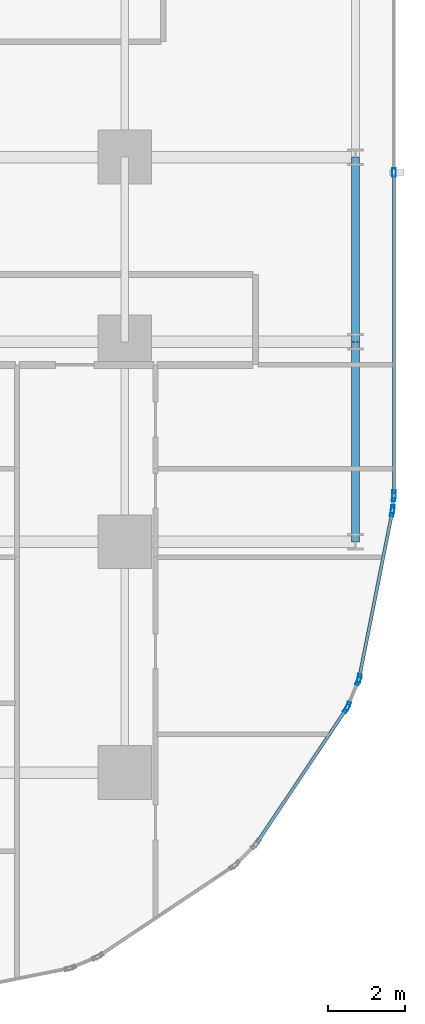
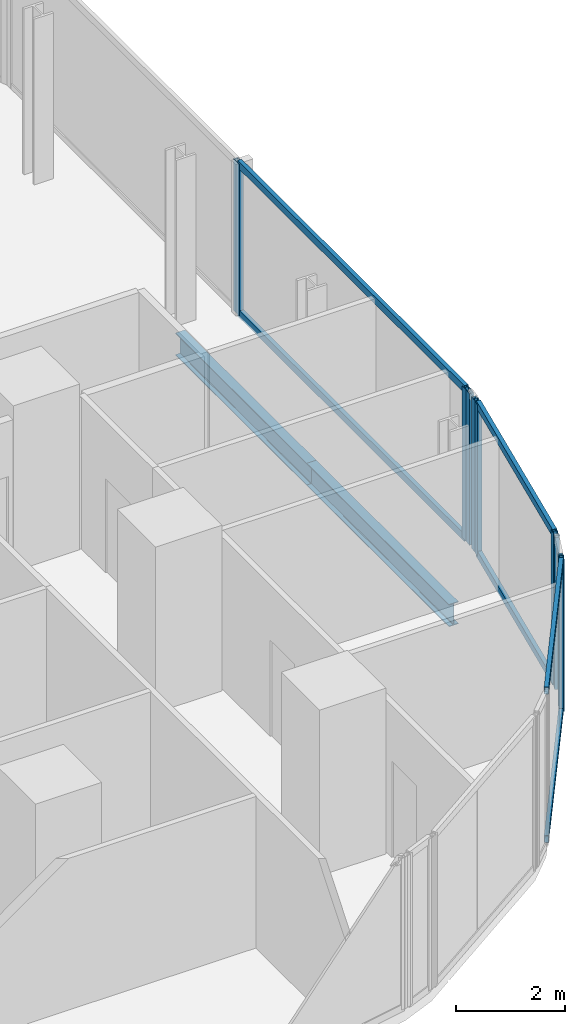
# One storey, part 18 of 34: 15 members, 2 beams, 5 elements without a shape of their own.
"""IFC4 building model written with IfcOpenShell, lengths in metres."""

from ifc_helpers import new_model, si_unit, direction, frame, origin, origin_2d, place, context, subcontext, project, spatial, hollow_rectangle, i_section, extrude, material, layer, layer_set, material_profile, profile_set, type_object, element, aggregate, save


model = new_model("IFC4")

# Units and contexts
model_context = context("Model", 3, precision=1e-05, world=origin(), true_north=direction((0.0, 1.0)))
body_context = subcontext(model_context, "Body", "Model", "MODEL_VIEW")
ifc_project = project(units=[si_unit("LENGTHUNIT", "METRE"), si_unit("AREAUNIT", "SQUARE_METRE"), si_unit("VOLUMEUNIT", "CUBIC_METRE"), si_unit("PLANEANGLEUNIT", "RADIAN"), si_unit("MASSUNIT", "GRAM", prefix="KILO")], contexts=[model_context])

# Site, building, storey
site_placement = place(None, origin())
site = spatial("IfcSite", under=ifc_project, at=site_placement, CompositionType="ELEMENT")
building_placement = place(site_placement, origin())
building = spatial("IfcBuilding", under=site, at=building_placement, Name="Keshet Zoharim Tower", CompositionType="ELEMENT")
storey_placement = place(building_placement, frame((0.0, 0.0, 31.39990234375)))
storey = spatial("IfcBuildingStorey", under=building, at=storey_placement, Name="L06", CompositionType="ELEMENT", Elevation=31.39990234375)

# Beams
ifc_material_1 = material(Name="Steel S355", Category="steel")
ifc_material_profile_1 = material_profile(ifc_material_1, i_section(OverallWidth=0.199951171875, OverallDepth=0.5, WebThickness=0.01025390625, FlangeThickness=0.01611328125, FilletRadius=0.02099609375, at=origin_2d()), Name="IPE500")
ifc_profile_set_1 = profile_set([ifc_material_profile_1], Name="Steel S355")
beam_type = type_object("IfcBeamType", Name="BM-PRI-IP500", PredefinedType="BEAM", material=ifc_profile_set_1)
beam_1_placement = place(storey_placement, frame((69.0, 12.699951171875, -0.56494140625), z_axis=(0.0, 1.0, 0.0), x_axis=(-1.0, 0.0, 0.0)))
element("IfcBeam", 1, at=beam_1_placement, inside=storey, type_object=beam_type, Name="L06 Primary Girder Y-023", PredefinedType="BEAM", context=body_context, shape_type="SweptSolid", body=[
    extrude(i_section(OverallWidth=0.199951171875, OverallDepth=0.5, WebThickness=0.01025390625, FlangeThickness=0.01611328125, FilletRadius=0.02099609375, at=origin_2d()), origin(), (0.0, 0.0, 1.0), 5.199951171875),
])
beam_2_placement = place(storey_placement, frame((69.0, 17.89990234375, -0.56494140625), z_axis=(0.0, 1.0, 0.0), x_axis=(-1.0, 0.0, 0.0)))
element("IfcBeam", 2, at=beam_2_placement, inside=storey, type_object=beam_type, Name="L06 Primary Girder Y-024", PredefinedType="BEAM", context=body_context, shape_type="SweptSolid", body=[
    extrude(i_section(OverallWidth=0.199951171875, OverallDepth=0.5, WebThickness=0.01025390625, FlangeThickness=0.01611328125, FilletRadius=0.02099609375, at=origin_2d()), origin(), (0.0, 0.0, 1.0), 4.800048828125),
])

# Curtain wall, members
ifc_material_2 = material(Name="Aluminium 6063-T6", Category="aluminium")
ifc_layer_1 = layer(ifc_material_2, 0.169921875)
ifc_layer_set_1 = layer_set([ifc_layer_1], Name="Aluminium 6063-T6")
curtain_wall_type_1 = type_object("IfcCurtainWallType", Name="CW-SYS-02", PredefinedType="NOTDEFINED", material=ifc_layer_set_1)
curtain_wall_1_placement = place(storey_placement, origin())
curtain_wall_1 = element("IfcCurtainWall", 3, at=curtain_wall_1_placement, inside=storey, type_object=curtain_wall_type_1, Name="L06 Unitised Curtain Wall 16", PredefinedType="NOTDEFINED")
ifc_material_profile_2 = material_profile(ifc_material_2, hollow_rectangle(XDim=0.090087890625, YDim=0.219970703125, WallThickness=0.0048828125, at=origin_2d()), Name="MUL-90x220")
ifc_profile_set_2 = profile_set([ifc_material_profile_2], Name="Aluminium 6063-T6")
member_type_1 = type_object("IfcMemberType", Name="CWM-M22", PredefinedType="MULLION", material=ifc_profile_set_2)
member_1_placement = place(storey_placement, frame((70.0, 22.298583984375, 0.0), z_axis=(0.0, 0.0, 1.0), x_axis=(1.0, 0.0, 0.0)))
member_1 = element("IfcMember", 4, at=member_1_placement, type_object=member_type_1, Name="CW-02 mullion 2", PredefinedType="MULLION", context=body_context, shape_type="SweptSolid", body=[
    extrude(hollow_rectangle(XDim=0.090087890625, YDim=0.219970703125, WallThickness=0.0048828125, at=origin_2d()), origin(), (0.0, 0.0, 1.0), 3.385009765625),
])
member_2_placement = place(storey_placement, frame((70.0, 13.931884765625, 0.0), z_axis=(0.0, 0.0, 1.0), x_axis=(1.0, 0.0, 0.0)))
member_2 = element("IfcMember", 5, at=member_2_placement, type_object=member_type_1, Name="CW-02 mullion 3", PredefinedType="MULLION", context=body_context, shape_type="SweptSolid", body=[
    extrude(hollow_rectangle(XDim=0.090087890625, YDim=0.219970703125, WallThickness=0.0048828125, at=origin_2d()), origin(), (0.0, 0.0, 1.0), 3.385009765625),
])

curtain_wall_2_placement = place(storey_placement, origin())
curtain_wall_2 = element("IfcCurtainWall", 6, at=curtain_wall_2_placement, inside=storey, type_object=curtain_wall_type_1, Name="L06 Unitised Curtain Wall 17", PredefinedType="NOTDEFINED")
member_3_placement = place(storey_placement, frame((69.99658203125, 13.862060546875, 0.0), z_axis=(0.0, 0.0, 1.0), x_axis=(0.995286657009, -0.096976648633, 0.0)))
member_3 = element("IfcMember", 7, at=member_3_placement, type_object=member_type_1, Name="CW-02 mullion 1", PredefinedType="MULLION", context=body_context, shape_type="SweptSolid", body=[
    extrude(hollow_rectangle(XDim=0.090087890625, YDim=0.219970703125, WallThickness=0.0048828125, at=origin_2d()), origin(), (0.0, 0.0, 1.0), 3.385009765625),
])
member_4_placement = place(storey_placement, frame((69.96533203125, 13.541748046875, 0.0), z_axis=(0.0, 0.0, 1.0), x_axis=(0.995286657009, -0.096976648633, 0.0)))
member_4 = element("IfcMember", 8, at=member_4_placement, type_object=member_type_1, Name="CW-02 mullion 2", PredefinedType="MULLION", context=body_context, shape_type="SweptSolid", body=[
    extrude(hollow_rectangle(XDim=0.090087890625, YDim=0.219970703125, WallThickness=0.0048828125, at=origin_2d()), origin(), (0.0, 0.0, 1.0), 3.385009765625),
])
aggregate(curtain_wall_2, [member_3, member_4])

curtain_wall_3_placement = place(storey_placement, origin())
curtain_wall_3 = element("IfcCurtainWall", 9, at=curtain_wall_3_placement, inside=storey, type_object=curtain_wall_type_1, Name="L06 Unitised Curtain Wall 18", PredefinedType="NOTDEFINED")
member_5_placement = place(storey_placement, frame((69.955078125, 13.47265625, 0.0), z_axis=(0.0, 0.0, 1.0), x_axis=(0.98076917357, -0.195171279072, 0.0)))
member_5 = element("IfcMember", 10, at=member_5_placement, type_object=member_type_1, Name="CW-02 mullion 1", PredefinedType="MULLION", context=body_context, shape_type="SweptSolid", body=[
    extrude(hollow_rectangle(XDim=0.090087890625, YDim=0.219970703125, WallThickness=0.0048828125, at=origin_2d()), origin(), (0.0, 0.0, 1.0), 3.385009765625),
])
member_6_placement = place(storey_placement, frame((69.0947265625, 9.1494140625, 0.0), z_axis=(0.0, 0.0, 1.0), x_axis=(0.98076917357, -0.195171279072, 0.0)))
member_6 = element("IfcMember", 11, at=member_6_placement, type_object=member_type_1, Name="CW-02 mullion 2", PredefinedType="MULLION", context=body_context, shape_type="SweptSolid", body=[
    extrude(hollow_rectangle(XDim=0.090087890625, YDim=0.219970703125, WallThickness=0.0048828125, at=origin_2d()), origin(), (0.0, 0.0, 1.0), 3.385009765625),
])

ifc_layer_2 = layer(ifc_material_2, 0.179931640625)
ifc_layer_set_2 = layer_set([ifc_layer_2], Name="Aluminium 6063-T6")
curtain_wall_type_2 = type_object("IfcCurtainWallType", Name="CW-SYS-01", PredefinedType="NOTDEFINED", material=ifc_layer_set_2)
curtain_wall_4_placement = place(storey_placement, origin())
curtain_wall_4 = element("IfcCurtainWall", 12, at=curtain_wall_4_placement, inside=storey, type_object=curtain_wall_type_2, Name="L06 Unitised Curtain Wall 19", PredefinedType="NOTDEFINED")
member_7_placement = place(storey_placement, frame((69.07470703125, 9.082763671875, 0.0), z_axis=(0.0, 0.0, 1.0), x_axis=(0.923720000557, -0.383068349739, 0.0)))
member_7 = element("IfcMember", 13, at=member_7_placement, type_object=member_type_1, Name="CW-01 mullion 1", PredefinedType="MULLION", context=body_context, shape_type="SweptSolid", body=[
    extrude(hollow_rectangle(XDim=0.090087890625, YDim=0.219970703125, WallThickness=0.0048828125, at=origin_2d()), origin(), (0.0, 0.0, 1.0), 3.385009765625),
])
member_8_placement = place(storey_placement, frame((68.802490234375, 8.42626953125, 0.0), z_axis=(0.0, 0.0, 1.0), x_axis=(0.923720000557, -0.383068349739, 0.0)))
member_8 = element("IfcMember", 14, at=member_8_placement, type_object=member_type_1, Name="CW-01 mullion 2", PredefinedType="MULLION", context=body_context, shape_type="SweptSolid", body=[
    extrude(hollow_rectangle(XDim=0.090087890625, YDim=0.219970703125, WallThickness=0.0048828125, at=origin_2d()), origin(), (0.0, 0.0, 1.0), 3.385009765625),
])
aggregate(curtain_wall_4, [member_7, member_8])

# Curtain wall, member
curtain_wall_5_placement = place(storey_placement, origin())
curtain_wall_5 = element("IfcCurtainWall", 15, at=curtain_wall_5_placement, inside=storey, type_object=curtain_wall_type_2, Name="L06 Unitised Curtain Wall 20", PredefinedType="NOTDEFINED")
member_9_placement = place(storey_placement, frame((68.76953125, 8.364990234375, 0.0), z_axis=(0.0, 0.0, 1.0), x_axis=(0.831474282335, -0.555563243758, 0.0)))
member_9 = element("IfcMember", 16, at=member_9_placement, type_object=member_type_1, Name="CW-01 mullion 1", PredefinedType="MULLION", context=body_context, shape_type="SweptSolid", body=[
    extrude(hollow_rectangle(XDim=0.090087890625, YDim=0.219970703125, WallThickness=0.0048828125, at=origin_2d()), origin(), (0.0, 0.0, 1.0), 3.385009765625),
])

# Member
ifc_material_profile_3 = material_profile(ifc_material_2, hollow_rectangle(XDim=0.0849609375, YDim=0.159912109375, WallThickness=0.00439453125, at=origin_2d()), Name="TRN-85x160")
ifc_profile_set_3 = profile_set([ifc_material_profile_3], Name="Aluminium 6063-T6")
member_type_2 = type_object("IfcMemberType", Name="CWT-T16", PredefinedType="USERDEFINED", material=ifc_profile_set_3)
member_10_placement = place(storey_placement, frame((70.0, 22.263427734375, 0.03515625), z_axis=(0.0, -1.0, 0.0), x_axis=(1.0, 0.0, 0.0)))
member_10 = element("IfcMember", 17, at=member_10_placement, type_object=member_type_2, Name="CW-02 transom 2.1", ObjectType="TRANSOM", PredefinedType="USERDEFINED", context=body_context, shape_type="SweptSolid", body=[
    extrude(hollow_rectangle(XDim=0.0849609375, YDim=0.159912109375, WallThickness=0.00439453125, at=origin_2d()), origin(), (0.0, 0.0, 1.0), 8.29638671875),
])

member_11_placement = place(storey_placement, frame((70.0, 22.263427734375, 3.35009765625), z_axis=(0.0, -1.0, 0.0), x_axis=(1.0, 0.0, 0.0)))
member_11 = element("IfcMember", 18, at=member_11_placement, type_object=member_type_2, Name="CW-02 transom 2.2", ObjectType="TRANSOM", PredefinedType="USERDEFINED", context=body_context, shape_type="SweptSolid", body=[
    extrude(hollow_rectangle(XDim=0.0849609375, YDim=0.159912109375, WallThickness=0.00439453125, at=origin_2d()), origin(), (0.0, 0.0, 1.0), 8.29638671875),
])

aggregate(curtain_wall_1, [member_1, member_2, member_10, member_11])

member_12_placement = place(storey_placement, frame((69.9482421875, 13.438232421875, 0.03515625), z_axis=(-0.195174459131, -0.980768540739, 0.0), x_axis=(0.980768540739, -0.195174459131, 0.0)))
member_12 = element("IfcMember", 19, at=member_12_placement, type_object=member_type_2, Name="CW-02 transom 1.1", ObjectType="TRANSOM", PredefinedType="USERDEFINED", context=body_context, shape_type="SweptSolid", body=[
    extrude(hollow_rectangle(XDim=0.0849609375, YDim=0.159912109375, WallThickness=0.00439453125, at=origin_2d()), origin(), (0.0, 0.0, 1.0), 4.338134765625),
])

member_13_placement = place(storey_placement, frame((69.9482421875, 13.438232421875, 3.35009765625), z_axis=(-0.195174459131, -0.980768540739, 0.0), x_axis=(0.980768540739, -0.195174459131, 0.0)))
member_13 = element("IfcMember", 20, at=member_13_placement, type_object=member_type_2, Name="CW-02 transom 1.2", ObjectType="TRANSOM", PredefinedType="USERDEFINED", context=body_context, shape_type="SweptSolid", body=[
    extrude(hollow_rectangle(XDim=0.0849609375, YDim=0.159912109375, WallThickness=0.00439453125, at=origin_2d()), origin(), (0.0, 0.0, 1.0), 4.338134765625),
])

aggregate(curtain_wall_3, [member_5, member_6, member_12, member_13])

member_14_placement = place(storey_placement, frame((68.75, 8.335693359375, 0.03515625), z_axis=(-0.55555796544, -0.831477809106, 0.0), x_axis=(0.831477809106, -0.55555796544, 0.0)))
member_14 = element("IfcMember", 21, at=member_14_placement, type_object=member_type_2, Name="CW-01 transom 1.1", ObjectType="TRANSOM", PredefinedType="USERDEFINED", context=body_context, shape_type="SweptSolid", body=[
    extrude(hollow_rectangle(XDim=0.0849609375, YDim=0.159912109375, WallThickness=0.00439453125, at=origin_2d()), origin(), (0.0, 0.0, 1.0), 4.136474609375),
])

member_15_placement = place(storey_placement, frame((68.75, 8.335693359375, 3.35009765625), z_axis=(-0.55555796544, -0.831477809106, 0.0), x_axis=(0.831477809106, -0.55555796544, 0.0)))
member_15 = element("IfcMember", 22, at=member_15_placement, type_object=member_type_2, Name="CW-01 transom 1.2", ObjectType="TRANSOM", PredefinedType="USERDEFINED", context=body_context, shape_type="SweptSolid", body=[
    extrude(hollow_rectangle(XDim=0.0849609375, YDim=0.159912109375, WallThickness=0.00439453125, at=origin_2d()), origin(), (0.0, 0.0, 1.0), 4.136474609375),
])

aggregate(curtain_wall_5, [member_9, member_14, member_15])

save(model, "model.ifc")
